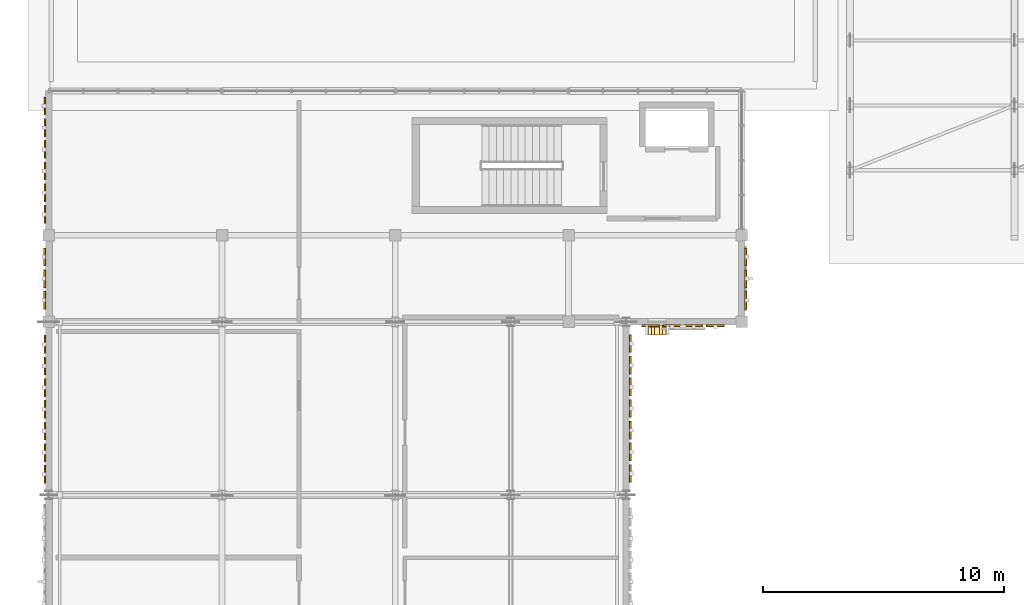
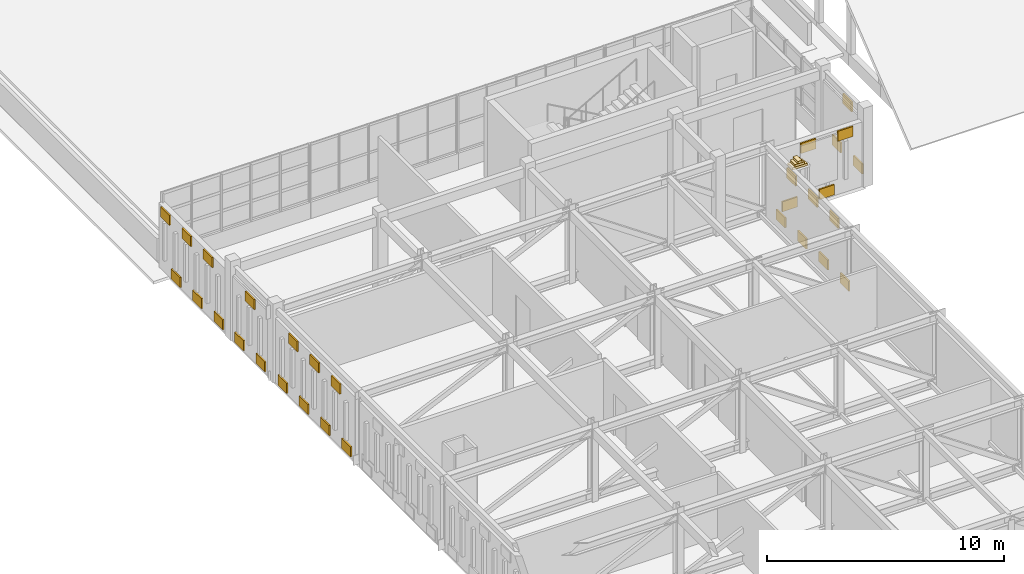
# One storey, part 76 of 79: 33 coverings.
"""IFC4 building model written with IfcOpenShell, lengths in metres."""

from ifc_helpers import new_model, si_unit, direction, frame, origin, origin_2d, place, context, subcontext, project, spatial, rectangle, extrude, material, layer, layer_set, type_object, element, save


model = new_model("IFC4")

# Units and contexts
model_context = context("Model", 3, precision=1e-05, world=origin(), true_north=direction((0.0, 1.0)))
body_context = subcontext(model_context, "Body", "Model", "MODEL_VIEW")
ifc_project = project(units=[si_unit("LENGTHUNIT", "METRE"), si_unit("AREAUNIT", "SQUARE_METRE"), si_unit("VOLUMEUNIT", "CUBIC_METRE"), si_unit("PLANEANGLEUNIT", "RADIAN"), si_unit("MASSUNIT", "GRAM", prefix="KILO")], contexts=[model_context])

# Site, building, storey
site_placement = place(None, origin())
site = spatial("IfcSite", under=ifc_project, at=site_placement, CompositionType="ELEMENT")
building_placement = place(site_placement, origin())
building = spatial("IfcBuilding", under=site, at=building_placement, Name="Nzembalo Square Collegiate School", CompositionType="ELEMENT")
storey_placement = place(building_placement, frame((0.0, 0.0, 9.52001953125)))
storey = spatial("IfcBuildingStorey", under=building, at=storey_placement, Name="L02", CompositionType="ELEMENT", Elevation=9.52001953125)

# Coverings
ifc_material_1 = material(Name="Glazed cobalt ceramic patterned tile")
ifc_layer_1 = layer(ifc_material_1, 0.074951171875, Name="Glazed cobalt ceramic patterned tile")
ifc_layer_set_1 = layer_set([ifc_layer_1], Name="Glazed cobalt ceramic patterned tile")
covering_type_1 = type_object("IfcCoveringType", Name="CL01", PredefinedType="CLADDING", material=ifc_layer_set_1)
for number, where, z_axis, x_axis, name in (
    (1, (8.239990234375, 72.867431640625, 0.099853515625), (0.0, 0.0, 1.0), (1.0, 0.0, 0.0), "Patterned ceramic tile CL01-Y0185-0-0"),
    (2, (8.239990234375, 73.767578125, 2.7890625), (0.0, 0.0, 1.0), (1.0, 0.0, 0.0), "Patterned ceramic tile CL01-Y0185-1-1"),
    (3, (8.239990234375, 74.66748046875, 0.099853515625), (0.0, 0.0, 1.0), (1.0, 0.0, 0.0), "Patterned ceramic tile CL01-Y0185-2-0"),
    (4, (8.239990234375, 75.5673828125, 2.7890625), (0.0, 0.0, 1.0), (1.0, 0.0, 0.0), "Patterned ceramic tile CL01-Y0185-3-1"),
    (5, (8.239990234375, 76.467529296875, 0.099853515625), (0.0, 0.0, 1.0), (1.0, 0.0, 0.0), "Patterned ceramic tile CL01-Y0185-4-0"),
    (6, (8.239990234375, 77.367431640625, 2.7890625), (0.0, 0.0, 1.0), (1.0, 0.0, 0.0), "Patterned ceramic tile CL01-Y0185-5-1"),
    (7, (8.239990234375, 78.267578125, 0.099853515625), (0.0, 0.0, 1.0), (1.0, 0.0, 0.0), "Patterned ceramic tile CL01-Y0185-6-0"),
    (8, (8.22998046875, 80.10009765625, 0.099853515625), (0.0, 0.0, 1.0), (1.0, 0.0, 0.0), "Patterned ceramic tile CL01-Y0186-0-0"),
    (9, (8.22998046875, 81.0, 2.759033203125), (0.0, 0.0, 1.0), (1.0, 0.0, 0.0), "Patterned ceramic tile CL01-Y0186-1-1"),
    (10, (8.22998046875, 81.89990234375, 0.099853515625), (0.0, 0.0, 1.0), (1.0, 0.0, 0.0), "Patterned ceramic tile CL01-Y0186-2-0"),
    (11, (8.239990234375, 83.6708984375, 0.099853515625), (0.0, 0.0, 1.0), (1.0, 0.0, 0.0), "Patterned ceramic tile CL01-Y0187-0-0"),
    (12, (8.239990234375, 84.571044921875, 2.759033203125), (0.0, 0.0, 1.0), (1.0, 0.0, 0.0), "Patterned ceramic tile CL01-Y0187-1-1"),
    (13, (8.239990234375, 85.470947265625, 0.099853515625), (0.0, 0.0, 1.0), (1.0, 0.0, 0.0), "Patterned ceramic tile CL01-Y0187-2-0"),
    (14, (8.239990234375, 86.37109375, 2.759033203125), (0.0, 0.0, 1.0), (1.0, 0.0, 0.0), "Patterned ceramic tile CL01-Y0187-3-1"),
    (15, (8.239990234375, 87.27099609375, 0.099853515625), (0.0, 0.0, 1.0), (1.0, 0.0, 0.0), "Patterned ceramic tile CL01-Y0187-4-0"),
    (16, (8.239990234375, 88.1708984375, 2.759033203125), (0.0, 0.0, 1.0), (1.0, 0.0, 0.0), "Patterned ceramic tile CL01-Y0187-5-1"),
    (17, (37.3701171875, 80.10009765625, 0.099853515625), (0.0, 0.0, 1.0), (1.0, 0.0, 0.0), "Patterned ceramic tile CL01-Y0188-0-0"),
    (18, (37.3701171875, 81.0, 2.759033203125), (0.0, 0.0, 1.0), (1.0, 0.0, 0.0), "Patterned ceramic tile CL01-Y0188-1-1"),
    (19, (37.3701171875, 81.89990234375, 0.099853515625), (0.0, 0.0, 1.0), (1.0, 0.0, 0.0), "Patterned ceramic tile CL01-Y0188-2-0"),
):
    element("IfcCovering", number, at=place(storey_placement, frame(where, z_axis=z_axis, x_axis=x_axis)), inside=storey, type_object=covering_type_1, Name=name, PredefinedType="CLADDING", context=body_context, shape_type="SweptSolid", body=[
        extrude(rectangle(XDim=0.074951171875, YDim=0.739990234375, at=origin_2d()), origin(), (0.0, 0.0, 1.0), 0.52001953125),
    ])
for number, where, z_axis, x_axis, name in (
    (20, (33.405029296875, 79.0400390625, 0.099853515625), (0.0, 0.0, 1.0), (1.0, 0.0, 0.0), "Patterned ceramic tile CL01-X0189-0-0"),
    (21, (34.304931640625, 79.0400390625, 2.7890625), (0.0, 0.0, 1.0), (1.0, 0.0, 0.0), "Patterned ceramic tile CL01-X0189-1-1"),
    (22, (35.205078125, 79.0400390625, 0.099853515625), (0.0, 0.0, 1.0), (1.0, 0.0, 0.0), "Patterned ceramic tile CL01-X0189-2-0"),
    (23, (36.10498046875, 79.0400390625, 2.7890625), (0.0, 0.0, 1.0), (1.0, 0.0, 0.0), "Patterned ceramic tile CL01-X0189-3-1"),
):
    element("IfcCovering", number, at=place(storey_placement, frame(where, z_axis=z_axis, x_axis=x_axis)), inside=storey, type_object=covering_type_1, Name=name, PredefinedType="CLADDING", context=body_context, shape_type="SweptSolid", body=[
        extrude(rectangle(XDim=0.739990234375, YDim=0.074951171875, at=origin_2d()), origin(), (0.0, 0.0, 1.0), 0.52001953125),
    ])
for number, where, z_axis, x_axis, name in (
    (24, (32.570068359375, 72.89990234375, 0.099853515625), (0.0, 0.0, 1.0), (1.0, 0.0, 0.0), "Patterned ceramic tile CL01-Y0194-0-0"),
    (25, (32.570068359375, 73.800048828125, 2.7890625), (0.0, 0.0, 1.0), (1.0, 0.0, 0.0), "Patterned ceramic tile CL01-Y0194-1-1"),
    (26, (32.570068359375, 74.699951171875, 0.099853515625), (0.0, 0.0, 1.0), (1.0, 0.0, 0.0), "Patterned ceramic tile CL01-Y0194-2-0"),
    (27, (32.570068359375, 75.60009765625, 2.7890625), (0.0, 0.0, 1.0), (1.0, 0.0, 0.0), "Patterned ceramic tile CL01-Y0194-3-1"),
    (28, (32.570068359375, 76.5, 0.099853515625), (0.0, 0.0, 1.0), (1.0, 0.0, 0.0), "Patterned ceramic tile CL01-Y0194-4-0"),
    (29, (32.570068359375, 77.39990234375, 2.7890625), (0.0, 0.0, 1.0), (1.0, 0.0, 0.0), "Patterned ceramic tile CL01-Y0194-5-1"),
    (30, (32.570068359375, 78.300048828125, 0.099853515625), (0.0, 0.0, 1.0), (1.0, 0.0, 0.0), "Patterned ceramic tile CL01-Y0194-6-0"),
):
    element("IfcCovering", number, at=place(storey_placement, frame(where, z_axis=z_axis, x_axis=x_axis)), inside=storey, type_object=covering_type_1, Name=name, PredefinedType="CLADDING", context=body_context, shape_type="SweptSolid", body=[
        extrude(rectangle(XDim=0.074951171875, YDim=0.739990234375, at=origin_2d()), origin(), (0.0, 0.0, 1.0), 0.52001953125),
    ])
ifc_material_2 = material(Name="Glazed celadon ceramic window frame")
ifc_layer_2 = layer(ifc_material_2, 0.419921875, Name="Glazed celadon ceramic window frame")
ifc_layer_set_2 = layer_set([ifc_layer_2], Name="Glazed celadon ceramic window frame")
covering_type_2 = type_object("IfcCoveringType", Name="WF01", PredefinedType="CLADDING", material=ifc_layer_set_2)
covering_1_placement = place(storey_placement, frame((33.68603515625, 78.862548828125, 2.35986328125), z_axis=(0.0, 0.0, 1.0), x_axis=(1.0, 0.0, 0.0)))
element("IfcCovering", 31, at=covering_1_placement, inside=storey, type_object=covering_type_2, Name="Pointed lancet gable WF01-0522-1", PredefinedType="CLADDING", context=body_context, shape_type="SweptSolid", body=[
    extrude(rectangle(XDim=0.721923828125, YDim=0.419921875, at=origin_2d()), origin(), (0.0, 0.0, 1.0), 0.1201171875),
])
covering_2_placement = place(storey_placement, frame((33.68603515625, 78.862548828125, 2.47998046875), z_axis=(0.0, 0.0, 1.0), x_axis=(1.0, 0.0, 0.0)))
element("IfcCovering", 32, at=covering_2_placement, inside=storey, type_object=covering_type_2, Name="Pointed lancet gable WF01-0522-2", PredefinedType="CLADDING", context=body_context, shape_type="SweptSolid", body=[
    extrude(rectangle(XDim=0.4560546875, YDim=0.419921875, at=origin_2d()), origin(), (0.0, 0.0, 1.0), 0.1201171875),
])
covering_3_placement = place(storey_placement, frame((33.68603515625, 78.862548828125, 2.599853515625), z_axis=(0.0, 0.0, 1.0), x_axis=(1.0, 0.0, 0.0)))
element("IfcCovering", 33, at=covering_3_placement, inside=storey, type_object=covering_type_2, Name="Pointed lancet gable WF01-0522-3", PredefinedType="CLADDING", context=body_context, shape_type="SweptSolid", body=[
    extrude(rectangle(XDim=0.208984375, YDim=0.419921875, at=origin_2d()), origin(), (0.0, 0.0, 1.0), 0.1201171875),
])

save(model, "model.ifc")
